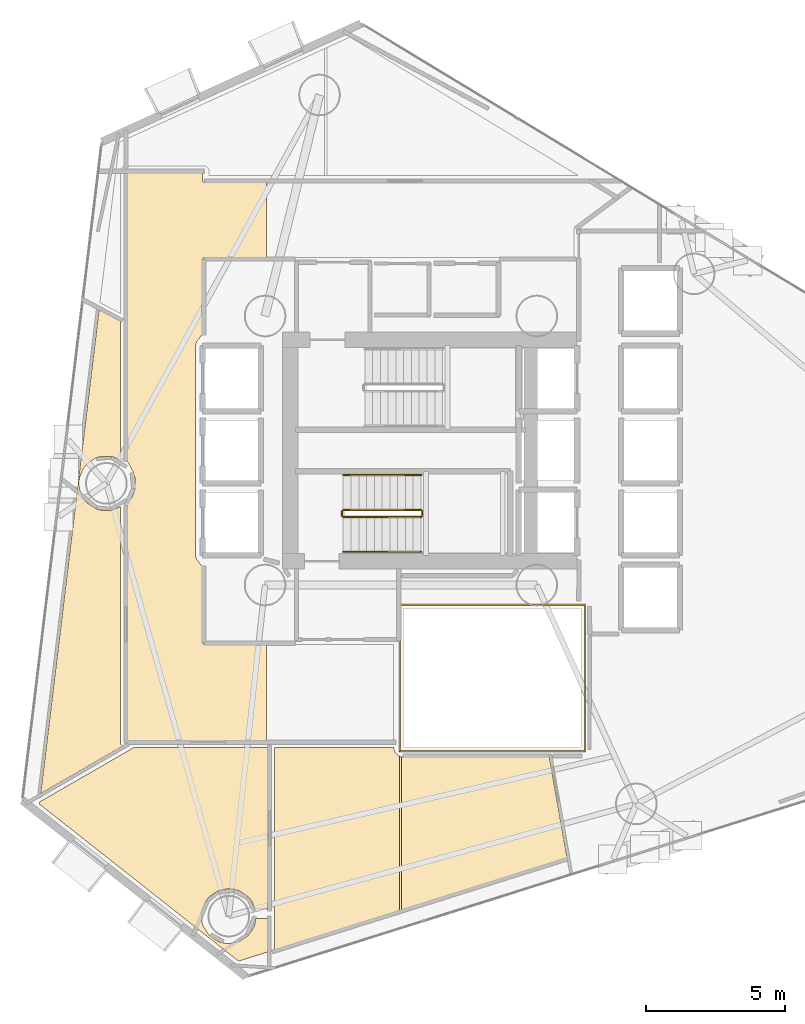
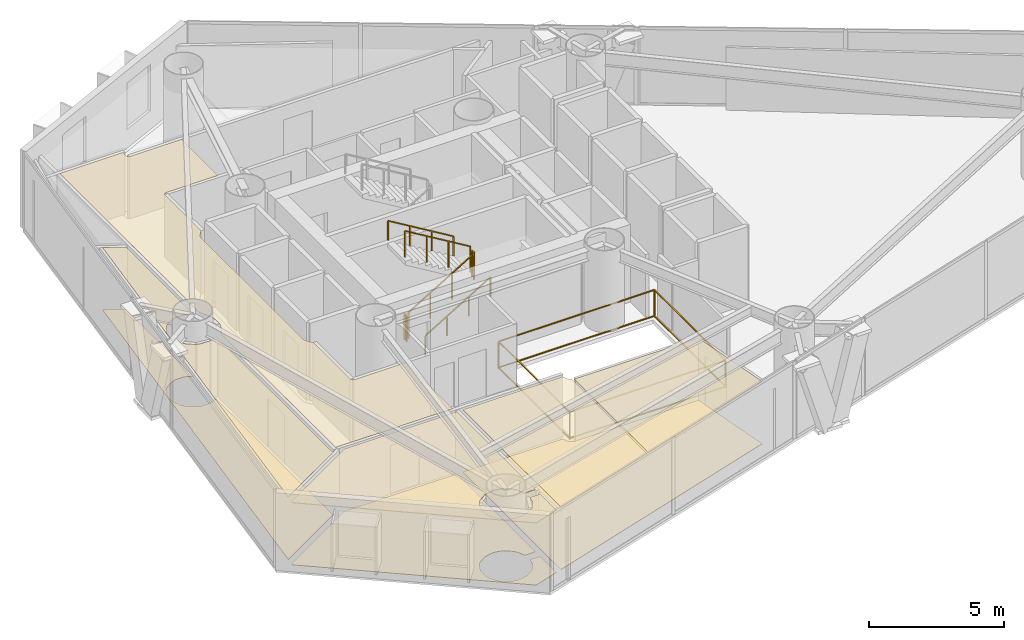
# One storey, part 17 of 18: 8 coverings, 7 railings.
"""IFC4 building model written with IfcOpenShell, lengths in metres."""

from ifc_helpers import new_model, si_unit, direction, frame, origin, origin_2d, place, context, subcontext, project, spatial, polyline, rectangle, outline, extrude, material, layer, layer_set, type_object, element, save


model = new_model("IFC4")

# Units and contexts
model_context = context("Model", 3, precision=1e-05, world=origin(), true_north=direction((0.0, 1.0)))
body_context = subcontext(model_context, "Body", "Model", "MODEL_VIEW")
ifc_project = project(units=[si_unit("LENGTHUNIT", "METRE"), si_unit("AREAUNIT", "SQUARE_METRE"), si_unit("VOLUMEUNIT", "CUBIC_METRE"), si_unit("PLANEANGLEUNIT", "RADIAN"), si_unit("MASSUNIT", "GRAM", prefix="KILO")], contexts=[model_context])

# Site, building, storey
site_placement = place(None, origin())
site = spatial("IfcSite", under=ifc_project, at=site_placement, CompositionType="ELEMENT")
building_placement = place(site_placement, origin())
building = spatial("IfcBuilding", under=site, at=building_placement, Name="Qianvela Tower", CompositionType="ELEMENT")
storey_placement = place(building_placement, frame((0.0, 0.0, 116.300048828125)))
storey = spatial("IfcBuildingStorey", under=building, at=storey_placement, Name="L29", CompositionType="ELEMENT", Elevation=116.300048828125)

# Coverings
ifc_material_1 = material(Name="Perforated Mineral Acoustic Ceiling Tile")
ifc_layer_1 = layer(ifc_material_1, 0.02490234375)
ifc_layer_set_1 = layer_set([ifc_layer_1], Name="Perforated Mineral Acoustic Ceiling Tile")
covering_type_1 = type_object("IfcCoveringType", Name="COV-CEIL-ACOUSTIC-25", PredefinedType="CEILING", material=ifc_layer_set_1)
covering_1_placement = place(storey_placement, frame((0.0, 0.0, 2.81494140625)))
element("IfcCovering", 1, at=covering_1_placement, inside=storey, type_object=covering_type_1, Name="L29 Acoustic Ceiling Bay 1 L29 Floor Corridor", PredefinedType="CEILING", context=body_context, shape_type="SweptSolid", body=[
    extrude(outline(polyline([(23.84814453125, 27.917724609375), (23.8447265625, 27.9248046875), (23.6298828125, 28.32666015625), (23.6298828125, 38.719970703125), (26.340087890625, 38.719970703125), (26.340087890625, 38.449951171875), (26.34033203125, 38.442138671875), (26.341552734375, 38.434326171875), (26.343505859375, 38.4267578125), (26.34619140625, 38.41943359375), (26.349365234375, 38.412353515625), (26.353515625, 38.405517578125), (26.358154296875, 38.399169921875), (26.36328125, 38.393310546875), (26.369140625, 38.38818359375), (26.37548828125, 38.383544921875), (26.38232421875, 38.37939453125), (26.389404296875, 38.376220703125), (26.396728515625, 38.373291015625), (26.404296875, 38.37158203125), (26.412109375, 38.370361328125), (26.419921875, 38.3701171875), (28.656494140625, 38.3701171875), (28.656494140625, 35.659912109375), (26.419921875, 35.659912109375), (26.412109375, 35.65966796875), (26.404296875, 35.658447265625), (26.396728515625, 35.656494140625), (26.389404296875, 35.65380859375), (26.38232421875, 35.650634765625), (26.37548828125, 35.646484375), (26.369140625, 35.641845703125), (26.36328125, 35.63671875), (26.358154296875, 35.630859375), (26.353515625, 35.62451171875), (26.349365234375, 35.61767578125), (26.34619140625, 35.610595703125), (26.343505859375, 35.603271484375), (26.341552734375, 35.595703125), (26.34033203125, 35.587890625), (26.340087890625, 35.580078125), (26.340087890625, 32.89599609375), (26.139404296875, 32.62548828125), (26.135498046875, 32.61962890625), (26.132080078125, 32.61376953125), (26.12939453125, 32.607421875), (26.126953125, 32.60107421875), (26.103515625, 32.523193359375), (26.1015625, 32.515625), (26.100341796875, 32.5078125), (26.10009765625, 32.5), (26.10009765625, 24.89990234375), (26.100341796875, 24.89208984375), (26.1015625, 24.884521484375), (26.103515625, 24.876708984375), (26.126953125, 24.799072265625), (26.12939453125, 24.79248046875), (26.132080078125, 24.786376953125), (26.135498046875, 24.7802734375), (26.139404296875, 24.774658203125), (26.340087890625, 24.50390625), (26.340087890625, 21.780029296875), (26.34033203125, 21.772216796875), (26.341552734375, 21.764404296875), (26.343505859375, 21.7568359375), (26.34619140625, 21.74951171875), (26.349365234375, 21.7421875), (26.353515625, 21.735595703125), (26.358154296875, 21.729248046875), (26.36328125, 21.723388671875), (26.369140625, 21.71826171875), (26.37548828125, 21.71337890625), (26.38232421875, 21.70947265625), (26.389404296875, 21.7060546875), (26.396728515625, 21.703369140625), (26.404296875, 21.701416015625), (26.412109375, 21.700439453125), (26.419921875, 21.699951171875), (28.656494140625, 21.699951171875), (28.656494140625, 18.22998046875), (23.6298828125, 18.22998046875), (23.6298828125, 26.705322265625), (23.8447265625, 27.107177734375), (23.84814453125, 27.1142578125), (23.8505859375, 27.12158203125), (23.906005859375, 27.303466796875), (23.90771484375, 27.311279296875), (23.908935546875, 27.31884765625), (23.909423828125, 27.326904296875), (23.909423828125, 27.705078125), (23.908935546875, 27.713134765625), (23.90771484375, 27.720703125), (23.906005859375, 27.728515625), (23.8505859375, 27.910400390625), (23.84814453125, 27.917724609375)])), origin(), (0.0, 0.0, 1.0), 0.02490234375),
])
covering_2_placement = place(storey_placement, frame((0.0, 0.0, 2.81494140625)))
element("IfcCovering", 2, at=covering_2_placement, inside=storey, type_object=covering_type_1, Name="L29 Acoustic Ceiling Student Reading Library L29-01", PredefinedType="CEILING", context=body_context, shape_type="SweptSolid", body=[
    extrude(outline(polyline([(23.389892578125, 26.67529296875), (23.389892578125, 18.14990234375), (23.390380859375, 18.14208984375), (23.3916015625, 18.134521484375), (23.393310546875, 18.126708984375), (23.39599609375, 18.119384765625), (23.3994140625, 18.1123046875), (23.403564453125, 18.105712890625), (23.452880859375, 18.031494140625), (23.453369140625, 18.031005859375), (20.5107421875, 16.332275390625), (22.615478515625, 33.77587890625), (23.389892578125, 33.3642578125), (23.389892578125, 28.356689453125), (23.086181640625, 28.482421875), (23.078857421875, 28.485107421875), (23.071044921875, 28.487060546875), (23.0634765625, 28.488037109375), (23.055419921875, 28.488525390625), (22.700439453125, 28.488525390625), (22.692626953125, 28.488037109375), (22.684814453125, 28.487060546875), (22.67724609375, 28.485107421875), (22.506591796875, 28.433349609375), (22.4990234375, 28.4306640625), (22.491943359375, 28.42724609375), (22.4853515625, 28.423095703125), (22.190185546875, 28.22607421875), (22.183837890625, 28.22119140625), (22.177978515625, 28.216064453125), (22.172607421875, 28.210205078125), (22.0595703125, 28.072265625), (22.0546875, 28.06591796875), (22.05078125, 28.059326171875), (22.047607421875, 28.05224609375), (21.91162109375, 27.72412109375), (21.908935546875, 27.716796875), (21.906982421875, 27.708984375), (21.906005859375, 27.701416015625), (21.888427734375, 27.523681640625), (21.887939453125, 27.51611328125), (21.888427734375, 27.50830078125), (21.906005859375, 27.33056640625), (21.906982421875, 27.322998046875), (21.908935546875, 27.315185546875), (21.91162109375, 27.307861328125), (22.047607421875, 26.979736328125), (22.05078125, 26.97265625), (22.0546875, 26.966064453125), (22.0595703125, 26.959716796875), (22.172607421875, 26.82177734375), (22.177978515625, 26.81591796875), (22.183837890625, 26.810791015625), (22.190185546875, 26.805908203125), (22.4853515625, 26.60888671875), (22.491943359375, 26.604736328125), (22.4990234375, 26.601318359375), (22.506591796875, 26.5986328125), (22.67724609375, 26.546875), (22.684814453125, 26.544921875), (22.692626953125, 26.5439453125), (22.700439453125, 26.54345703125), (23.055419921875, 26.54345703125), (23.0634765625, 26.5439453125), (23.071044921875, 26.544921875), (23.078857421875, 26.546875), (23.086181640625, 26.549560546875), (23.389892578125, 26.67529296875)])), origin(), (0.0, 0.0, 1.0), 0.02490234375),
])
covering_3_placement = place(storey_placement, frame((0.0, 0.0, 2.81494140625)))
element("IfcCovering", 3, at=covering_3_placement, inside=storey, type_object=covering_type_1, Name="L29 Acoustic Ceiling Media Practice Cinema L29-02", PredefinedType="CEILING", context=body_context, shape_type="SweptSolid", body=[
    extrude(outline(polyline([(28.7060546875, 12.17138671875), (28.23681640625, 12.170166015625), (28.12255859375, 12.4453125), (28.119140625, 12.452392578125), (28.114990234375, 12.458984375), (28.110595703125, 12.46533203125), (27.997314453125, 12.603271484375), (27.991943359375, 12.60888671875), (27.986083984375, 12.6142578125), (27.97998046875, 12.618896484375), (27.684814453125, 12.816162109375), (27.677978515625, 12.8203125), (27.6708984375, 12.823486328125), (27.66357421875, 12.826416015625), (27.492919921875, 12.878173828125), (27.485107421875, 12.8798828125), (27.477294921875, 12.881103515625), (27.2998046875, 12.898681640625), (27.2919921875, 12.89892578125), (27.2841796875, 12.898681640625), (27.2763671875, 12.8974609375), (26.92822265625, 12.828125), (26.92041015625, 12.826416015625), (26.9130859375, 12.823486328125), (26.906005859375, 12.8203125), (26.8994140625, 12.816162109375), (26.60400390625, 12.618896484375), (26.597900390625, 12.6142578125), (26.592041015625, 12.60888671875), (26.586669921875, 12.603271484375), (26.473388671875, 12.46533203125), (26.46875, 12.458984375), (26.46484375, 12.452392578125), (26.46142578125, 12.4453125), (26.32568359375, 12.1171875), (26.322998046875, 12.10986328125), (26.321044921875, 12.10205078125), (26.31982421875, 12.094482421875), (26.319580078125, 12.08642578125), (26.319580078125, 11.7314453125), (26.31982421875, 11.7236328125), (26.321044921875, 11.7158203125), (26.322998046875, 11.708251953125), (26.374755859375, 11.53759765625), (26.37744140625, 11.530029296875), (26.380615234375, 11.52294921875), (26.384765625, 11.516357421875), (26.58203125, 11.22119140625), (26.586669921875, 11.21484375), (26.592041015625, 11.208984375), (26.597900390625, 11.20361328125), (26.60400390625, 11.198974609375), (26.8994140625, 11.001708984375), (26.906005859375, 10.997802734375), (26.9130859375, 10.994384765625), (26.92041015625, 10.99169921875), (27.09130859375, 10.93994140625), (27.098876953125, 10.93798828125), (27.106689453125, 10.93701171875), (27.2841796875, 10.91943359375), (27.2919921875, 10.9189453125), (27.2998046875, 10.91943359375), (27.3076171875, 10.92041015625), (27.65576171875, 10.98974609375), (27.66357421875, 10.99169921875), (27.6708984375, 10.994384765625), (27.677978515625, 10.997802734375), (27.684814453125, 11.001708984375), (27.97998046875, 11.198974609375), (27.986083984375, 11.20361328125), (27.991943359375, 11.208984375), (27.997314453125, 11.21484375), (28.001953125, 11.22119140625), (28.19921875, 11.516357421875), (28.203369140625, 11.523193359375), (28.206787109375, 11.5302734375), (28.209228515625, 11.53759765625), (28.211181640625, 11.545166015625), (28.267578125, 11.830078125), (28.7060546875, 11.831298828125), (28.7060546875, 10.62060546875), (27.642822265625, 10.285888671875), (20.464599609375, 15.9482421875), (20.474365234375, 16.029296875), (23.870361328125, 17.989990234375), (28.7060546875, 17.989990234375), (28.7060546875, 12.17138671875)])), origin(), (0.0, 0.0, 1.0), 0.02490234375),
])
covering_4_placement = place(storey_placement, frame((0.0, 0.0, 2.81494140625)))
element("IfcCovering", 4, at=covering_4_placement, inside=storey, type_object=covering_type_1, Name="L29 Acoustic Ceiling Bay 1 Panoramic Study Lounge L29-03", PredefinedType="CEILING", context=body_context, shape_type="SweptSolid", body=[
    extrude(outline(polyline([(33.24609375, 17.93505859375), (33.247314453125, 17.927978515625), (33.2490234375, 17.92138671875), (33.25146484375, 17.914794921875), (33.293212890625, 17.813720703125), (33.296630859375, 17.806640625), (33.30078125, 17.800048828125), (33.305419921875, 17.793701171875), (33.310546875, 17.787841796875), (33.387939453125, 17.710693359375), (33.39306640625, 17.705810546875), (33.398681640625, 17.70166015625), (33.40478515625, 17.69775390625), (33.410888671875, 17.694580078125), (33.41748046875, 17.69189453125), (33.443359375, 17.6826171875), (33.443359375, 12.11181640625), (28.949951171875, 10.697509765625), (28.949951171875, 17.989990234375), (33.243408203125, 17.989990234375), (33.24560546875, 17.94189453125), (33.24609375, 17.93505859375)])), origin(), (0.0, 0.0, 1.0), 0.02490234375),
])
covering_5_placement = place(storey_placement, frame((0.0, 0.0, 2.81494140625)))
element("IfcCovering", 5, at=covering_5_placement, inside=storey, type_object=covering_type_1, Name="L29 Acoustic Ceiling Bay 2 Panoramic Study Lounge L29-03", PredefinedType="CEILING", context=body_context, shape_type="SweptSolid", body=[
    extrude(outline(polyline([(33.545654296875, 17.64599609375), (33.554443359375, 17.643310546875), (33.5634765625, 17.641845703125), (33.572509765625, 17.641357421875), (38.85009765625, 17.639892578125), (39.489501953125, 14.014892578125), (33.5234375, 12.136962890625), (33.5234375, 17.654052734375), (33.545654296875, 17.64599609375)])), origin(), (0.0, 0.0, 1.0), 0.02490234375),
])
ifc_material_2 = material(Name="Engineered Acoustic Oak Timber Flooring", Category="wood")
ifc_layer_2 = layer(ifc_material_2, 0.02001953125)
ifc_layer_set_2 = layer_set([ifc_layer_2], Name="Engineered Acoustic Oak Timber Flooring")
covering_type_2 = type_object("IfcCoveringType", Name="COV-FLOOR-OAK-20", PredefinedType="FLOORING", material=ifc_layer_set_2)
covering_6_placement = place(storey_placement, origin())
element("IfcCovering", 6, at=covering_6_placement, inside=storey, type_object=covering_type_2, Name="L29 Finish Flooring Student Reading Library L29-01", PredefinedType="FLOORING", context=body_context, shape_type="SweptSolid", body=[
    extrude(outline(polyline([(23.389892578125, 26.67529296875), (23.389892578125, 18.14990234375), (23.390380859375, 18.14208984375), (23.3916015625, 18.134521484375), (23.393310546875, 18.126708984375), (23.39599609375, 18.119384765625), (23.3994140625, 18.1123046875), (23.403564453125, 18.105712890625), (23.452880859375, 18.031494140625), (23.453369140625, 18.031005859375), (20.5107421875, 16.332275390625), (22.615478515625, 33.77587890625), (23.389892578125, 33.3642578125), (23.389892578125, 28.356689453125), (23.086181640625, 28.482421875), (23.078857421875, 28.485107421875), (23.071044921875, 28.487060546875), (23.0634765625, 28.488037109375), (23.055419921875, 28.488525390625), (22.700439453125, 28.488525390625), (22.692626953125, 28.488037109375), (22.684814453125, 28.487060546875), (22.67724609375, 28.485107421875), (22.506591796875, 28.433349609375), (22.4990234375, 28.4306640625), (22.491943359375, 28.42724609375), (22.4853515625, 28.423095703125), (22.190185546875, 28.22607421875), (22.183837890625, 28.22119140625), (22.177978515625, 28.216064453125), (22.172607421875, 28.210205078125), (22.0595703125, 28.072265625), (22.0546875, 28.06591796875), (22.05078125, 28.059326171875), (22.047607421875, 28.05224609375), (21.91162109375, 27.72412109375), (21.908935546875, 27.716796875), (21.906982421875, 27.708984375), (21.906005859375, 27.701416015625), (21.888427734375, 27.523681640625), (21.887939453125, 27.51611328125), (21.888427734375, 27.50830078125), (21.906005859375, 27.33056640625), (21.906982421875, 27.322998046875), (21.908935546875, 27.315185546875), (21.91162109375, 27.307861328125), (22.047607421875, 26.979736328125), (22.05078125, 26.97265625), (22.0546875, 26.966064453125), (22.0595703125, 26.959716796875), (22.172607421875, 26.82177734375), (22.177978515625, 26.81591796875), (22.183837890625, 26.810791015625), (22.190185546875, 26.805908203125), (22.4853515625, 26.60888671875), (22.491943359375, 26.604736328125), (22.4990234375, 26.601318359375), (22.506591796875, 26.5986328125), (22.67724609375, 26.546875), (22.684814453125, 26.544921875), (22.692626953125, 26.5439453125), (22.700439453125, 26.54345703125), (23.055419921875, 26.54345703125), (23.0634765625, 26.5439453125), (23.071044921875, 26.544921875), (23.078857421875, 26.546875), (23.086181640625, 26.549560546875), (23.389892578125, 26.67529296875)])), origin(), (0.0, 0.0, 1.0), 0.02001953125),
])
covering_7_placement = place(storey_placement, origin())
element("IfcCovering", 7, at=covering_7_placement, inside=storey, type_object=covering_type_2, Name="L29 Finish Flooring Media Practice Cinema L29-02", PredefinedType="FLOORING", context=body_context, shape_type="SweptSolid", body=[
    extrude(outline(polyline([(28.7060546875, 12.17138671875), (28.23681640625, 12.170166015625), (28.12255859375, 12.4453125), (28.119140625, 12.452392578125), (28.114990234375, 12.458984375), (28.110595703125, 12.46533203125), (27.997314453125, 12.603271484375), (27.991943359375, 12.60888671875), (27.986083984375, 12.6142578125), (27.97998046875, 12.618896484375), (27.684814453125, 12.816162109375), (27.677978515625, 12.8203125), (27.6708984375, 12.823486328125), (27.66357421875, 12.826416015625), (27.492919921875, 12.878173828125), (27.485107421875, 12.8798828125), (27.477294921875, 12.881103515625), (27.2998046875, 12.898681640625), (27.2919921875, 12.89892578125), (27.2841796875, 12.898681640625), (27.2763671875, 12.8974609375), (26.92822265625, 12.828125), (26.92041015625, 12.826416015625), (26.9130859375, 12.823486328125), (26.906005859375, 12.8203125), (26.8994140625, 12.816162109375), (26.60400390625, 12.618896484375), (26.597900390625, 12.6142578125), (26.592041015625, 12.60888671875), (26.586669921875, 12.603271484375), (26.473388671875, 12.46533203125), (26.46875, 12.458984375), (26.46484375, 12.452392578125), (26.46142578125, 12.4453125), (26.32568359375, 12.1171875), (26.322998046875, 12.10986328125), (26.321044921875, 12.10205078125), (26.31982421875, 12.094482421875), (26.319580078125, 12.08642578125), (26.319580078125, 11.7314453125), (26.31982421875, 11.7236328125), (26.321044921875, 11.7158203125), (26.322998046875, 11.708251953125), (26.374755859375, 11.53759765625), (26.37744140625, 11.530029296875), (26.380615234375, 11.52294921875), (26.384765625, 11.516357421875), (26.58203125, 11.22119140625), (26.586669921875, 11.21484375), (26.592041015625, 11.208984375), (26.597900390625, 11.20361328125), (26.60400390625, 11.198974609375), (26.8994140625, 11.001708984375), (26.906005859375, 10.997802734375), (26.9130859375, 10.994384765625), (26.92041015625, 10.99169921875), (27.09130859375, 10.93994140625), (27.098876953125, 10.93798828125), (27.106689453125, 10.93701171875), (27.2841796875, 10.91943359375), (27.2919921875, 10.9189453125), (27.2998046875, 10.91943359375), (27.3076171875, 10.92041015625), (27.65576171875, 10.98974609375), (27.66357421875, 10.99169921875), (27.6708984375, 10.994384765625), (27.677978515625, 10.997802734375), (27.684814453125, 11.001708984375), (27.97998046875, 11.198974609375), (27.986083984375, 11.20361328125), (27.991943359375, 11.208984375), (27.997314453125, 11.21484375), (28.001953125, 11.22119140625), (28.19921875, 11.516357421875), (28.203369140625, 11.523193359375), (28.206787109375, 11.5302734375), (28.209228515625, 11.53759765625), (28.211181640625, 11.545166015625), (28.267578125, 11.830078125), (28.7060546875, 11.831298828125), (28.7060546875, 10.62060546875), (27.642822265625, 10.285888671875), (20.464599609375, 15.9482421875), (20.474365234375, 16.029296875), (23.870361328125, 17.989990234375), (28.7060546875, 17.989990234375), (28.7060546875, 12.17138671875)])), origin(), (0.0, 0.0, 1.0), 0.02001953125),
])
covering_8_placement = place(storey_placement, origin())
element("IfcCovering", 8, at=covering_8_placement, inside=storey, type_object=covering_type_2, Name="L29 Finish Flooring Panoramic Study Lounge L29-03", PredefinedType="FLOORING", context=body_context, shape_type="SweptSolid", body=[
    extrude(outline(polyline([(33.24560546875, 17.94189453125), (33.24609375, 17.93505859375), (33.247314453125, 17.927978515625), (33.2490234375, 17.92138671875), (33.25146484375, 17.914794921875), (33.293212890625, 17.813720703125), (33.296630859375, 17.806640625), (33.30078125, 17.800048828125), (33.305419921875, 17.793701171875), (33.310546875, 17.787841796875), (33.387939453125, 17.710693359375), (33.39306640625, 17.705810546875), (33.398681640625, 17.70166015625), (33.40478515625, 17.69775390625), (33.410888671875, 17.694580078125), (33.41748046875, 17.69189453125), (33.545654296875, 17.64599609375), (33.554443359375, 17.643310546875), (33.5634765625, 17.641845703125), (33.572509765625, 17.641357421875), (38.85009765625, 17.639892578125), (39.489501953125, 14.014892578125), (28.949951171875, 10.697509765625), (28.949951171875, 17.989990234375), (33.243408203125, 17.989990234375), (33.24560546875, 17.94189453125)])), origin(), (0.0, 0.0, 1.0), 0.02001953125),
])

# Railings
ifc_material_3 = material(Name="Laminated Safety Glass and Stainless Steel 316", Category="steel")
railing_type_1 = type_object("IfcRailingType", Name="RL-ATRIUM-GUARD-1250", PredefinedType="GUARDRAIL", material=ifc_material_3)
railing_1_placement = place(storey_placement, frame((33.4599609375, 17.860107421875, 0.0)))
element("IfcRailing", 9, at=railing_1_placement, inside=storey, type_object=railing_type_1, Name="L29 Atrium Edge Guardrail 1", PredefinedType="GUARDRAIL", context=body_context, shape_type="SweptSolid", body=[
    extrude(rectangle(XDim=0.050048828125, YDim=0.0400390625, at=origin_2d()), frame((0.0, 0.0, 1.22998046875), z_axis=(0.0, 1.0, 0.0), x_axis=(-1.0, 0.0, 0.0)), (0.0, 0.0, 1.0), 5.27978515625),
    extrude(rectangle(XDim=0.050048828125, YDim=0.0400390625, at=origin_2d()), frame((0.0, 0.0, 0.050048828125), z_axis=(0.0, 1.0, 0.0), x_axis=(-1.0, 0.0, 0.0)), (0.0, 0.0, 1.0), 5.27978515625),
    extrude(rectangle(XDim=0.050048828125, YDim=0.0400390625, at=origin_2d()), frame((0.0, 5.27978515625, 1.22998046875), z_axis=(1.0, 0.0, 0.0), x_axis=(0.0, 1.0, 0.0)), (0.0, 0.0, 1.0), 6.679931640625),
    extrude(rectangle(XDim=0.050048828125, YDim=0.0400390625, at=origin_2d()), frame((0.0, 5.27978515625, 0.050048828125), z_axis=(1.0, 0.0, 0.0), x_axis=(0.0, 1.0, 0.0)), (0.0, 0.0, 1.0), 6.679931640625),
    extrude(rectangle(XDim=0.050048828125, YDim=0.0400390625, at=origin_2d()), frame((6.679931640625, 5.27978515625, 1.22998046875), z_axis=(0.0, -1.0, 0.0), x_axis=(1.0, 0.0, 0.0)), (0.0, 0.0, 1.0), 5.27978515625),
    extrude(rectangle(XDim=0.050048828125, YDim=0.0400390625, at=origin_2d()), frame((6.679931640625, 5.27978515625, 0.050048828125), z_axis=(0.0, -1.0, 0.0), x_axis=(1.0, 0.0, 0.0)), (0.0, 0.0, 1.0), 5.27978515625),
    extrude(rectangle(XDim=0.050048828125, YDim=0.0400390625, at=origin_2d()), frame((6.679931640625, 0.0, 1.22998046875), z_axis=(-1.0, 0.0, 0.0), x_axis=(0.0, -1.0, 0.0)), (0.0, 0.0, 1.0), 6.679931640625),
    extrude(rectangle(XDim=0.050048828125, YDim=0.0400390625, at=origin_2d()), frame((6.679931640625, 0.0, 0.050048828125), z_axis=(-1.0, 0.0, 0.0), x_axis=(0.0, -1.0, 0.0)), (0.0, 0.0, 1.0), 6.679931640625),
    extrude(rectangle(XDim=0.050048828125, YDim=0.050048828125, at=origin_2d()), origin(), (0.0, 0.0, 1.0), 1.2099609375),
    extrude(rectangle(XDim=0.050048828125, YDim=0.050048828125, at=origin_2d()), frame((0.0, 5.27978515625, 0.0)), (0.0, 0.0, 1.0), 1.2099609375),
    extrude(rectangle(XDim=0.050048828125, YDim=0.050048828125, at=origin_2d()), frame((6.679931640625, 5.27978515625, 0.0)), (0.0, 0.0, 1.0), 1.2099609375),
    extrude(rectangle(XDim=0.050048828125, YDim=0.050048828125, at=origin_2d()), frame((6.679931640625, 0.0, 0.0)), (0.0, 0.0, 1.0), 1.2099609375),
])
ifc_material_4 = material(Name="Painted Tubular Steel Q355B", Category="steel")
railing_type_2 = type_object("IfcRailingType", Name="RL-STAIR-GUARD-1200", PredefinedType="GUARDRAIL", material=ifc_material_4)
railing_2_placement = place(storey_placement, frame((31.419921875, 26.300048828125, 0.168212890625)))
element("IfcRailing", 10, at=railing_2_placement, inside=storey, type_object=railing_type_2, Name="L29 ST-2 stair guard 1", PredefinedType="GUARDRAIL", context=body_context, shape_type="SweptSolid", body=[
    extrude(rectangle(XDim=0.050048828125, YDim=0.0400390625, at=origin_2d()), frame((0.0, 0.0, 1.179931640625), z_axis=(0.857275202839, 0.0, 0.514858452973), x_axis=(0.0, 1.0, 0.0)), (0.0, 0.0, 1.0), 3.26611328125),
    extrude(rectangle(XDim=0.050048828125, YDim=0.050048828125, at=origin_2d()), origin(), (0.0, 0.0, 1.0), 1.159912109375),
    extrude(rectangle(XDim=0.050048828125, YDim=0.050048828125, at=origin_2d()), frame((0.933349609375, 0.0, 0.560546875)), (0.0, 0.0, 1.0), 1.159912109375),
    extrude(rectangle(XDim=0.050048828125, YDim=0.050048828125, at=origin_2d()), frame((1.86669921875, 0.0, 1.12109375)), (0.0, 0.0, 1.0), 1.159912109375),
    extrude(rectangle(XDim=0.050048828125, YDim=0.050048828125, at=origin_2d()), frame((2.800048828125, 0.0, 1.681640625)), (0.0, 0.0, 1.0), 1.159912109375),
])
railing_3_placement = place(storey_placement, frame((34.27001953125, 26.35009765625, 1.849853515625)))
element("IfcRailing", 11, at=railing_3_placement, inside=storey, type_object=railing_type_2, Name="L29 ST-2 stair guard 2", PredefinedType="GUARDRAIL", context=body_context, shape_type="SweptSolid", body=[
    extrude(rectangle(XDim=0.050048828125, YDim=0.0400390625, at=origin_2d()), frame((0.0, 0.0, 1.179931640625), z_axis=(0.0, 1.0, 0.0), x_axis=(-1.0, 0.0, 0.0)), (0.0, 0.0, 1.0), 0.159912109375),
    extrude(rectangle(XDim=0.050048828125, YDim=0.050048828125, at=origin_2d()), origin(), (0.0, 0.0, 1.0), 1.159912109375),
    extrude(rectangle(XDim=0.050048828125, YDim=0.050048828125, at=origin_2d()), frame((0.0, 0.159912109375, 0.0)), (0.0, 0.0, 1.0), 1.159912109375),
])
railing_4_placement = place(storey_placement, frame((34.219970703125, 26.56005859375, 2.01806640625)))
element("IfcRailing", 12, at=railing_4_placement, inside=storey, type_object=railing_type_2, Name="L29 ST-2 stair guard 3", PredefinedType="GUARDRAIL", context=body_context, shape_type="SweptSolid", body=[
    extrude(rectangle(XDim=0.050048828125, YDim=0.0400390625, at=origin_2d()), frame((0.0, 0.0, 1.179931640625), z_axis=(-0.857242210791, 0.0, 0.514913383045), x_axis=(0.0, -1.0, 0.0)), (0.0, 0.0, 1.0), 3.266357421875),
    extrude(rectangle(XDim=0.050048828125, YDim=0.050048828125, at=origin_2d()), origin(), (0.0, 0.0, 1.0), 1.159912109375),
    extrude(rectangle(XDim=0.050048828125, YDim=0.050048828125, at=origin_2d()), frame((-0.933349609375, 0.0, 0.560546875)), (0.0, 0.0, 1.0), 1.159912109375),
    extrude(rectangle(XDim=0.050048828125, YDim=0.050048828125, at=origin_2d()), frame((-1.86669921875, 0.0, 1.121337890625)), (0.0, 0.0, 1.0), 1.159912109375),
    extrude(rectangle(XDim=0.050048828125, YDim=0.050048828125, at=origin_2d()), frame((-2.800048828125, 0.0, 1.681884765625)), (0.0, 0.0, 1.0), 1.159912109375),
])
railing_5_placement = place(storey_placement, frame((31.3701171875, 26.35009765625, 0.0)))
element("IfcRailing", 13, at=railing_5_placement, inside=storey, type_object=railing_type_2, Name="L29 ST-2 stair guard 4", PredefinedType="GUARDRAIL", context=body_context, shape_type="SweptSolid", body=[
    extrude(rectangle(XDim=0.050048828125, YDim=0.0400390625, at=origin_2d()), frame((0.0, 0.0, 1.179931640625), z_axis=(0.0, 1.0, 0.0), x_axis=(-1.0, 0.0, 0.0)), (0.0, 0.0, 1.0), 0.159912109375),
    extrude(rectangle(XDim=0.050048828125, YDim=0.050048828125, at=origin_2d()), origin(), (0.0, 0.0, 1.0), 1.159912109375),
    extrude(rectangle(XDim=0.050048828125, YDim=0.050048828125, at=origin_2d()), frame((0.0, 0.159912109375, 0.0)), (0.0, 0.0, 1.0), 1.159912109375),
])
ifc_material_5 = material(Name="Brushed Stainless Steel 304", Category="steel")
railing_type_3 = type_object("IfcRailingType", Name="RL-STAIR-HANDRAIL-900", PredefinedType="HANDRAIL", material=ifc_material_5)
railing_6_placement = place(storey_placement, frame((31.419921875, 25.050048828125, 0.168212890625)))
element("IfcRailing", 14, at=railing_6_placement, inside=storey, type_object=railing_type_3, Name="L29 ST-2 stair handrail 1", PredefinedType="HANDRAIL", context=body_context, shape_type="SweptSolid", body=[
    extrude(rectangle(XDim=0.050048828125, YDim=0.0400390625, at=origin_2d()), frame((0.0, 0.0, 0.8798828125), z_axis=(0.857275202839, 0.0, 0.514858452973), x_axis=(0.0, 1.0, 0.0)), (0.0, 0.0, 1.0), 3.26611328125),
    extrude(rectangle(XDim=0.050048828125, YDim=0.050048828125, at=origin_2d()), origin(), (0.0, 0.0, 1.0), 0.85986328125),
    extrude(rectangle(XDim=0.050048828125, YDim=0.050048828125, at=origin_2d()), frame((0.933349609375, 0.0, 0.560546875)), (0.0, 0.0, 1.0), 0.85986328125),
    extrude(rectangle(XDim=0.050048828125, YDim=0.050048828125, at=origin_2d()), frame((1.86669921875, 0.0, 1.12109375)), (0.0, 0.0, 1.0), 0.85986328125),
    extrude(rectangle(XDim=0.050048828125, YDim=0.050048828125, at=origin_2d()), frame((2.800048828125, 0.0, 1.681640625)), (0.0, 0.0, 1.0), 0.85986328125),
])
railing_7_placement = place(storey_placement, frame((34.219970703125, 27.81005859375, 2.01806640625)))
element("IfcRailing", 15, at=railing_7_placement, inside=storey, type_object=railing_type_3, Name="L29 ST-2 stair handrail 2", PredefinedType="HANDRAIL", context=body_context, shape_type="SweptSolid", body=[
    extrude(rectangle(XDim=0.050048828125, YDim=0.0400390625, at=origin_2d()), frame((0.0, 0.0, 0.8798828125), z_axis=(-0.857242210791, 0.0, 0.514913383045), x_axis=(0.0, -1.0, 0.0)), (0.0, 0.0, 1.0), 3.266357421875),
    extrude(rectangle(XDim=0.050048828125, YDim=0.050048828125, at=origin_2d()), origin(), (0.0, 0.0, 1.0), 0.85986328125),
    extrude(rectangle(XDim=0.050048828125, YDim=0.050048828125, at=origin_2d()), frame((-0.933349609375, 0.0, 0.560546875)), (0.0, 0.0, 1.0), 0.85986328125),
    extrude(rectangle(XDim=0.050048828125, YDim=0.050048828125, at=origin_2d()), frame((-1.86669921875, 0.0, 1.121337890625)), (0.0, 0.0, 1.0), 0.85986328125),
    extrude(rectangle(XDim=0.050048828125, YDim=0.050048828125, at=origin_2d()), frame((-2.800048828125, 0.0, 1.681884765625)), (0.0, 0.0, 1.0), 0.85986328125),
])

save(model, "model.ifc")
